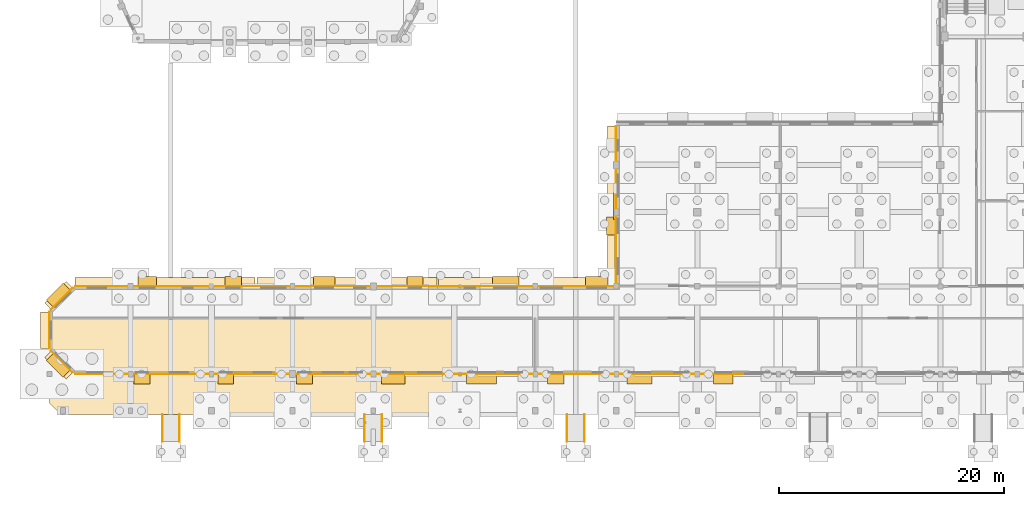
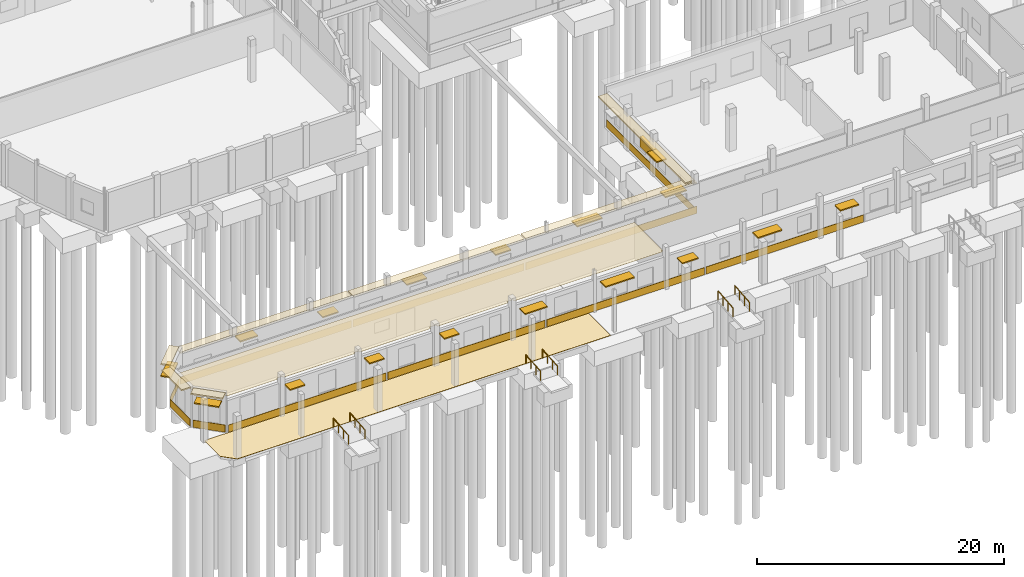
# One storey, part 78 of 93: 20 coverings, 18 shading devices, 6 railings.
"""IFC4 building model written with IfcOpenShell, lengths in metres."""

from ifc_helpers import new_model, si_unit, direction, frame, origin, origin_2d, place, context, subcontext, project, spatial, polyline, rectangle, circle, outline, extrude, material, layer, layer_set, type_object, element, save


model = new_model("IFC4")

# Units and contexts
model_context = context("Model", 3, precision=1e-05, world=origin(), true_north=direction((0.0, 1.0)))
body_context = subcontext(model_context, "Body", "Model", "MODEL_VIEW")
ifc_project = project(units=[si_unit("LENGTHUNIT", "METRE"), si_unit("AREAUNIT", "SQUARE_METRE"), si_unit("VOLUMEUNIT", "CUBIC_METRE"), si_unit("PLANEANGLEUNIT", "RADIAN"), si_unit("MASSUNIT", "GRAM", prefix="KILO")], contexts=[model_context])

# Site, building, storey
site_placement = place(None, origin())
site = spatial("IfcSite", under=ifc_project, at=site_placement, CompositionType="ELEMENT")
building_placement = place(site_placement, origin())
building = spatial("IfcBuilding", under=site, at=building_placement, Name="Kelanivale Promenade Academy", CompositionType="ELEMENT")
storey_placement = place(building_placement, origin())
storey = spatial("IfcBuildingStorey", under=building, at=storey_placement, Name="L00", CompositionType="ELEMENT", Elevation=0.0)

# Coverings
ifc_material_1 = material(Name="Warm ivory Art Deco stucco frieze band 40 mm", Category="masonry")
ifc_layer_1 = layer(ifc_material_1, 0.0400390625)
ifc_layer_set_1 = layer_set([ifc_layer_1], Name="Warm ivory Art Deco stucco frieze band 40 mm")
covering_type_1 = type_object("IfcCoveringType", Name="COV-CLD2 Warm ivory Art Deco stucco frieze ba", PredefinedType="CLADDING", material=ifc_layer_set_1)
covering_1_placement = place(storey_placement, frame((50.0, 18.56005859375, 3.2451171875), z_axis=(0.0, 0.0, 1.0), x_axis=(0.0, -1.0, 0.0)))
element("IfcCovering", 1, at=covering_1_placement, inside=storey, type_object=covering_type_1, Name="Art Deco projecting 820 mm streamline sunshade eyebrow ledge", PredefinedType="CLADDING", context=body_context, shape_type="SweptSolid", body=[
    extrude(rectangle(XDim=14.159912109375, YDim=0.820068359375, at=origin_2d()), origin(), (0.0, 0.0, 1.0), 0.139892578125),
])
covering_2_placement = place(storey_placement, frame((50.385009765625, 18.56005859375, 0.06005859375), z_axis=(0.0, 0.0, 1.0), x_axis=(0.0, -1.0, 0.0)))
element("IfcCovering", 2, at=covering_2_placement, inside=storey, type_object=covering_type_1, Name="Art Deco ivory stucco sill frieze band", PredefinedType="CLADDING", context=body_context, shape_type="SweptSolid", body=[
    extrude(rectangle(XDim=14.159912109375, YDim=0.0400390625, at=origin_2d()), origin(), (0.0, 0.0, 1.0), 0.719970703125),
])
covering_3_placement = place(storey_placement, frame((42.596923828125, 11.800048828125, 3.044921875), z_axis=(0.0, 0.0, 1.0), x_axis=(-1.0, 0.0, 0.0)))
element("IfcCovering", 3, at=covering_3_placement, inside=storey, type_object=covering_type_1, Name="Art Deco projecting 820 mm streamline sunshade eyebrow ledge", PredefinedType="CLADDING", context=body_context, shape_type="SweptSolid", body=[
    extrude(rectangle(XDim=16.0048828125, YDim=0.820068359375, at=origin_2d()), origin(), (0.0, 0.0, 1.0), 0.139892578125),
])
covering_4_placement = place(storey_placement, frame((42.596923828125, 11.4150390625, 0.06005859375), z_axis=(0.0, 0.0, 1.0), x_axis=(-1.0, 0.0, 0.0)))
element("IfcCovering", 4, at=covering_4_placement, inside=storey, type_object=covering_type_1, Name="Art Deco ivory stucco sill frieze band", PredefinedType="CLADDING", context=body_context, shape_type="SweptSolid", body=[
    extrude(rectangle(XDim=16.0048828125, YDim=0.0400390625, at=origin_2d()), origin(), (0.0, 0.0, 1.0), 0.719970703125),
])
covering_5_placement = place(storey_placement, frame((26.43310546875, 11.800048828125, 3.044921875), z_axis=(0.0, 0.0, 1.0), x_axis=(-1.0, 0.0, 0.0)))
element("IfcCovering", 5, at=covering_5_placement, inside=storey, type_object=covering_type_1, Name="Art Deco projecting 820 mm streamline sunshade eyebrow ledge", PredefinedType="CLADDING", context=body_context, shape_type="SweptSolid", body=[
    extrude(rectangle(XDim=16.00390625, YDim=0.820068359375, at=origin_2d()), origin(), (0.0, 0.0, 1.0), 0.139892578125),
])
covering_6_placement = place(storey_placement, frame((26.43310546875, 11.4150390625, 0.06005859375), z_axis=(0.0, 0.0, 1.0), x_axis=(-1.0, 0.0, 0.0)))
element("IfcCovering", 6, at=covering_6_placement, inside=storey, type_object=covering_type_1, Name="Art Deco ivory stucco sill frieze band", PredefinedType="CLADDING", context=body_context, shape_type="SweptSolid", body=[
    extrude(rectangle(XDim=16.00390625, YDim=0.0400390625, at=origin_2d()), origin(), (0.0, 0.0, 1.0), 0.719970703125),
])
covering_7_placement = place(storey_placement, frame((10.26806640625, 11.800048828125, 3.09521484375), z_axis=(0.0, 0.0, 1.0), x_axis=(-1.0, 0.0, 0.0)))
element("IfcCovering", 7, at=covering_7_placement, inside=storey, type_object=covering_type_1, Name="Art Deco projecting 820 mm streamline sunshade eyebrow ledge", PredefinedType="CLADDING", context=body_context, shape_type="SweptSolid", body=[
    extrude(rectangle(XDim=16.0048828125, YDim=0.820068359375, at=origin_2d()), origin(), (0.0, 0.0, 1.0), 0.139892578125),
])
covering_8_placement = place(storey_placement, frame((10.26806640625, 11.4150390625, 0.06005859375), z_axis=(0.0, 0.0, 1.0), x_axis=(-1.0, 0.0, 0.0)))
element("IfcCovering", 8, at=covering_8_placement, inside=storey, type_object=covering_type_1, Name="Art Deco ivory stucco sill frieze band", PredefinedType="CLADDING", context=body_context, shape_type="SweptSolid", body=[
    extrude(rectangle(XDim=16.0048828125, YDim=0.0400390625, at=origin_2d()), origin(), (0.0, 0.0, 1.0), 0.719970703125),
])
covering_9_placement = place(storey_placement, frame((0.80908203125, 10.591064453125, 3.81982421875), z_axis=(0.0, 0.0, 1.0), x_axis=(-0.707106781187, -0.707106781187, 0.0)))
element("IfcCovering", 9, at=covering_9_placement, inside=storey, type_object=covering_type_1, Name="Art Deco projecting 820 mm streamline sunshade eyebrow ledge", PredefinedType="CLADDING", context=body_context, shape_type="SweptSolid", body=[
    extrude(rectangle(XDim=2.68798828125, YDim=0.820068359375, at=origin_2d()), origin(), (0.0, 0.0, 1.0), 0.139892578125),
])
covering_10_placement = place(storey_placement, frame((1.0810546875, 10.319091796875, 0.06005859375), z_axis=(0.0, 0.0, 1.0), x_axis=(-0.707106781187, -0.707106781187, 0.0)))
element("IfcCovering", 10, at=covering_10_placement, inside=storey, type_object=covering_type_1, Name="Art Deco ivory stucco sill frieze band", PredefinedType="CLADDING", context=body_context, shape_type="SweptSolid", body=[
    extrude(rectangle(XDim=2.68798828125, YDim=0.0400390625, at=origin_2d()), origin(), (0.0, 0.0, 1.0), 0.719970703125),
])
covering_11_placement = place(storey_placement, frame((-0.39990234375, 7.5, 3.81982421875), z_axis=(0.0, 0.0, 1.0), x_axis=(0.0, -1.0, 0.0)))
element("IfcCovering", 11, at=covering_11_placement, inside=storey, type_object=covering_type_1, Name="Art Deco projecting 820 mm streamline sunshade eyebrow ledge", PredefinedType="CLADDING", context=body_context, shape_type="SweptSolid", body=[
    extrude(rectangle(XDim=3.26806640625, YDim=0.820068359375, at=origin_2d()), origin(), (0.0, 0.0, 1.0), 0.139892578125),
])
covering_12_placement = place(storey_placement, frame((-0.014892578125, 7.5, 0.06005859375), z_axis=(0.0, 0.0, 1.0), x_axis=(0.0, -1.0, 0.0)))
element("IfcCovering", 12, at=covering_12_placement, inside=storey, type_object=covering_type_1, Name="Art Deco ivory stucco sill frieze band", PredefinedType="CLADDING", context=body_context, shape_type="SweptSolid", body=[
    extrude(rectangle(XDim=3.26806640625, YDim=0.0400390625, at=origin_2d()), origin(), (0.0, 0.0, 1.0), 0.719970703125),
])
covering_13_placement = place(storey_placement, frame((0.80908203125, 4.408935546875, 3.81982421875), z_axis=(0.0, 0.0, 1.0), x_axis=(0.707106781187, -0.707106781187, 0.0)))
element("IfcCovering", 13, at=covering_13_placement, inside=storey, type_object=covering_type_1, Name="Art Deco projecting 820 mm streamline sunshade eyebrow ledge", PredefinedType="CLADDING", context=body_context, shape_type="SweptSolid", body=[
    extrude(rectangle(XDim=2.68798828125, YDim=0.820068359375, at=origin_2d()), origin(), (0.0, 0.0, 1.0), 0.139892578125),
])
covering_14_placement = place(storey_placement, frame((1.0810546875, 4.680908203125, 0.06005859375), z_axis=(0.0, 0.0, 1.0), x_axis=(0.707106781187, -0.707106781187, 0.0)))
element("IfcCovering", 14, at=covering_14_placement, inside=storey, type_object=covering_type_1, Name="Art Deco ivory stucco sill frieze band", PredefinedType="CLADDING", context=body_context, shape_type="SweptSolid", body=[
    extrude(rectangle(XDim=2.68798828125, YDim=0.0400390625, at=origin_2d()), origin(), (0.0, 0.0, 1.0), 0.719970703125),
])
for number, where, z_axis, x_axis, name in (
    (15, (9.635986328125, 3.594970703125, 0.06005859375), (0.0, 0.0, 1.0), (1.0, 0.0, 0.0), "Art Deco ivory stucco sill frieze band"),
    (16, (24.529052734375, 3.594970703125, 0.06005859375), (0.0, 0.0, 1.0), (1.0, 0.0, 0.0), "Art Deco ivory stucco sill frieze band"),
    (17, (39.422119140625, 3.594970703125, 0.06005859375), (0.0, 0.0, 1.0), (1.0, 0.0, 0.0), "Art Deco ivory stucco sill frieze band"),
):
    element("IfcCovering", number, at=place(storey_placement, frame(where, z_axis=z_axis, x_axis=x_axis)), inside=storey, type_object=covering_type_1, Name=name, PredefinedType="CLADDING", context=body_context, shape_type="SweptSolid", body=[
        extrude(rectangle(XDim=14.73291015625, YDim=0.0400390625, at=origin_2d()), origin(), (0.0, 0.0, 1.0), 0.719970703125),
    ])
covering_15_placement = place(storey_placement, frame((54.31494140625, 3.594970703125, 0.06005859375), z_axis=(0.0, 0.0, 1.0), x_axis=(1.0, 0.0, 0.0)))
element("IfcCovering", 18, at=covering_15_placement, inside=storey, type_object=covering_type_1, Name="Art Deco ivory stucco sill frieze band", PredefinedType="CLADDING", context=body_context, shape_type="SweptSolid", body=[
    extrude(rectangle(XDim=14.73193359375, YDim=0.0400390625, at=origin_2d()), origin(), (0.0, 0.0, 1.0), 0.719970703125),
])
ifc_material_2 = material(Name="Acoustic mineral-fibre ceiling tile 25 mm", Category="gypsum")
ifc_layer_2 = layer(ifc_material_2, 0.02490234375)
ifc_layer_set_2 = layer_set([ifc_layer_2], Name="Acoustic mineral-fibre ceiling tile 25 mm")
covering_type_2 = type_object("IfcCoveringType", Name="COV-CLG1 Acoustic mineral-fibre ceiling tile ", PredefinedType="CEILING", material=ifc_layer_set_2)
covering_16_placement = place(storey_placement, frame((0.0, 0.0, 3.550048828125)))
element("IfcCovering", 19, at=covering_16_placement, inside=storey, type_object=covering_type_2, Name="Promenade Dining Hall acoustic suspended ceiling", PredefinedType="CEILING", context=body_context, shape_type="SweptSolid", body=[
    extrude(outline(polyline([(0.14990234375, 5.845947265625), (2.24609375, 3.75), (6.93994140625, 3.75), (6.93994140625, 3.8701171875), (6.93994140625, 3.8740234375), (6.94091796875, 3.8779296875), (6.94189453125, 3.882080078125), (6.943115234375, 3.885009765625), (6.945068359375, 3.888916015625), (6.947021484375, 3.89208984375), (6.948974609375, 3.89501953125), (6.951904296875, 3.89794921875), (6.955078125, 3.90087890625), (6.9580078125, 3.903076171875), (6.9609375, 3.905029296875), (6.965087890625, 3.906982421875), (6.968017578125, 3.907958984375), (6.971923828125, 3.908935546875), (6.97607421875, 3.909912109375), (6.97998046875, 3.909912109375), (7.419921875, 3.909912109375), (7.424072265625, 3.909912109375), (7.427978515625, 3.908935546875), (7.431884765625, 3.907958984375), (7.43505859375, 3.906982421875), (7.43896484375, 3.905029296875), (7.44189453125, 3.903076171875), (7.445068359375, 3.90087890625), (7.447998046875, 3.89794921875), (7.450927734375, 3.89501953125), (7.452880859375, 3.89208984375), (7.455078125, 3.888916015625), (7.45703125, 3.885009765625), (7.4580078125, 3.882080078125), (7.458984375, 3.8779296875), (7.4599609375, 3.8740234375), (7.4599609375, 3.8701171875), (7.4599609375, 3.75), (14.1650390625, 3.75), (14.1650390625, 3.8701171875), (14.1650390625, 3.8740234375), (14.166015625, 3.8779296875), (14.1669921875, 3.882080078125), (14.16796875, 3.885009765625), (14.169921875, 3.888916015625), (14.172119140625, 3.89208984375), (14.174072265625, 3.89501953125), (14.177001953125, 3.89794921875), (14.179931640625, 3.90087890625), (14.18310546875, 3.903076171875), (14.18603515625, 3.905029296875), (14.18994140625, 3.906982421875), (14.193115234375, 3.907958984375), (14.197021484375, 3.908935546875), (14.200927734375, 3.909912109375), (14.205078125, 3.909912109375), (14.594970703125, 3.909912109375), (14.59912109375, 3.909912109375), (14.60302734375, 3.908935546875), (14.60693359375, 3.907958984375), (14.610107421875, 3.906982421875), (14.614013671875, 3.905029296875), (14.616943359375, 3.903076171875), (14.6201171875, 3.90087890625), (14.623046875, 3.89794921875), (14.6259765625, 3.89501953125), (14.6279296875, 3.89208984375), (14.6298828125, 3.888916015625), (14.632080078125, 3.885009765625), (14.633056640625, 3.882080078125), (14.634033203125, 3.8779296875), (14.635009765625, 3.8740234375), (14.635009765625, 3.8701171875), (14.635009765625, 3.75), (21.2900390625, 3.75), (21.2900390625, 3.919921875), (21.2900390625, 3.924072265625), (21.291015625, 3.927978515625), (21.2919921875, 3.931884765625), (21.29296875, 3.93505859375), (21.294921875, 3.93896484375), (21.297119140625, 3.94189453125), (21.299072265625, 3.945068359375), (21.302001953125, 3.947998046875), (21.304931640625, 3.950927734375), (21.30810546875, 3.952880859375), (21.31103515625, 3.955078125), (21.31494140625, 3.95703125), (21.318115234375, 3.9580078125), (21.322021484375, 3.958984375), (21.325927734375, 3.9599609375), (21.330078125, 3.9599609375), (21.8701171875, 3.9599609375), (21.8740234375, 3.9599609375), (21.8779296875, 3.958984375), (21.882080078125, 3.9580078125), (21.885009765625, 3.95703125), (21.888916015625, 3.955078125), (21.89208984375, 3.952880859375), (21.89501953125, 3.950927734375), (21.89794921875, 3.947998046875), (21.90087890625, 3.945068359375), (21.903076171875, 3.94189453125), (21.905029296875, 3.93896484375), (21.906982421875, 3.93505859375), (21.907958984375, 3.931884765625), (21.908935546875, 3.927978515625), (21.909912109375, 3.924072265625), (21.909912109375, 3.919921875), (21.909912109375, 3.75), (28.514892578125, 3.75), (28.514892578125, 3.89501953125), (28.514892578125, 3.89892578125), (28.51611328125, 3.903076171875), (28.51708984375, 3.906982421875), (28.51806640625, 3.909912109375), (28.52001953125, 3.9140625), (28.52197265625, 3.9169921875), (28.52392578125, 3.919921875), (28.527099609375, 3.923095703125), (28.530029296875, 3.926025390625), (28.532958984375, 3.927978515625), (28.535888671875, 3.929931640625), (28.5400390625, 3.931884765625), (28.54296875, 3.93310546875), (28.547119140625, 3.93408203125), (28.551025390625, 3.93505859375), (28.554931640625, 3.93505859375), (29.044921875, 3.93505859375), (29.049072265625, 3.93505859375), (29.052978515625, 3.93408203125), (29.056884765625, 3.93310546875), (29.06005859375, 3.931884765625), (29.06396484375, 3.929931640625), (29.06689453125, 3.927978515625), (29.070068359375, 3.926025390625), (29.072998046875, 3.923095703125), (29.075927734375, 3.919921875), (29.077880859375, 3.9169921875), (29.080078125, 3.9140625), (29.08203125, 3.909912109375), (29.0830078125, 3.906982421875), (29.083984375, 3.903076171875), (29.0849609375, 3.89892578125), (29.0849609375, 3.89501953125), (29.0849609375, 3.75), (35.924072265625, 3.75), (35.925048828125, 3.75), (35.931884765625, 3.751953125), (35.943115234375, 3.75390625), (35.944091796875, 3.75390625), (35.9560546875, 3.756103515625), (35.9619140625, 3.757080078125), (35.968994140625, 3.757080078125), (35.98095703125, 3.757080078125), (35.988037109375, 3.757080078125), (35.993896484375, 3.756103515625), (36.006103515625, 3.75390625), (36.007080078125, 3.75390625), (36.01806640625, 3.751953125), (36.02490234375, 3.75), (36.02587890625, 3.75), (36.31298828125, 3.75), (36.31298828125, 3.7509765625), (36.31298828125, 3.7548828125), (36.31396484375, 3.759033203125), (36.31591796875, 3.761962890625), (36.31689453125, 3.76611328125), (36.319091796875, 3.76904296875), (36.322021484375, 3.77197265625), (36.323974609375, 3.77490234375), (36.326904296875, 3.778076171875), (36.330078125, 3.780029296875), (36.333984375, 3.781982421875), (36.3369140625, 3.783935546875), (36.341064453125, 3.784912109375), (36.344970703125, 3.785888671875), (36.34912109375, 3.787109375), (36.35302734375, 3.787109375), (36.64697265625, 3.787109375), (36.65087890625, 3.787109375), (36.655029296875, 3.785888671875), (36.658935546875, 3.784912109375), (36.6630859375, 3.783935546875), (36.666015625, 3.781982421875), (36.669921875, 3.780029296875), (36.673095703125, 3.778076171875), (36.676025390625, 3.77490234375), (36.677978515625, 3.77197265625), (36.680908203125, 3.76904296875), (36.68310546875, 3.76611328125), (36.68408203125, 3.761962890625), (36.68603515625, 3.759033203125), (36.68701171875, 3.7548828125), (36.68701171875, 3.7509765625), (36.68701171875, 3.75), (42.965087890625, 3.75), (42.965087890625, 3.8701171875), (42.965087890625, 3.8740234375), (42.966064453125, 3.8779296875), (42.967041015625, 3.882080078125), (42.968017578125, 3.885009765625), (42.969970703125, 3.888916015625), (42.971923828125, 3.89208984375), (42.97412109375, 3.89501953125), (42.97705078125, 3.89794921875), (42.97998046875, 3.90087890625), (42.98291015625, 3.903076171875), (42.986083984375, 3.905029296875), (42.989990234375, 3.906982421875), (42.992919921875, 3.907958984375), (42.9970703125, 3.908935546875), (43.0009765625, 3.909912109375), (43.0048828125, 3.909912109375), (43.090087890625, 3.909912109375), (43.090087890625, 8.489990234375), (0.14990234375, 8.489990234375), (0.14990234375, 5.845947265625)])), origin(), (0.0, 0.0, 1.0), 0.02490234375),
])
ifc_material_3 = material(Name="Polished coastal terrazzo and granite colonnade paving 30 mm", Category="masonry")
ifc_layer_3 = layer(ifc_material_3, 0.030029296875)
ifc_layer_set_3 = layer_set([ifc_layer_3], Name="Polished coastal terrazzo and granite colonnade paving 30 mm")
covering_type_3 = type_object("IfcCoveringType", Name="COV-FLR2 Polished coastal terrazzo and granit", PredefinedType="FLOORING", material=ifc_layer_set_3)
covering_17_placement = place(storey_placement, origin())
element("IfcCovering", 20, at=covering_17_placement, inside=storey, type_object=covering_type_3, Name="Harbour Promenade West Colonnade polished granite-terrazzo paving", PredefinedType="FLOORING", context=body_context, shape_type="SweptSolid", body=[
    extrude(outline(polyline([(0.0, 1.008056640625), (1.008056640625, 0.0), (35.949951171875, 0.0), (35.949951171875, 3.60009765625), (0.0, 3.60009765625), (0.0, 1.008056640625)])), origin(), (0.0, 0.0, 1.0), 0.030029296875),
])

# Railings
ifc_material_4 = material(Name="Brushed stainless steel grade 316", Category="steel")
railing_type = type_object("IfcRailingType", Name="HR-01 Pitch Handrail 900mm", PredefinedType="HANDRAIL", material=ifc_material_4)
for number, where, name in (
    (21, (10.02490234375, -2.39990234375, -0.199951171875), "Ramp R-01 handrail L"),
    (22, (11.574951171875, -2.39990234375, -0.199951171875), "Ramp R-01 handrail R"),
    (23, (28.02490234375, -2.39990234375, -0.199951171875), "Ramp R-02 handrail L"),
    (24, (29.574951171875, -2.39990234375, -0.199951171875), "Ramp R-02 handrail R"),
    (25, (46.02490234375, -2.39990234375, -0.199951171875), "Ramp R-03 handrail L"),
    (26, (47.574951171875, -2.39990234375, -0.199951171875), "Ramp R-03 handrail R"),
):
    element("IfcRailing", number, at=place(storey_placement, frame(where)), inside=storey, type_object=railing_type, Name=name, PredefinedType="HANDRAIL", context=body_context, shape_type="SweptSolid", body=[
        extrude(circle(Radius=0.02392578125, at=origin_2d()), frame((0.0, 0.0, 0.8759765625), z_axis=(0.0, 0.996547156423, 0.083028700011), x_axis=(-1.0, 0.0, 0.0)), (0.0, 0.0, 1.0), 2.408203125),
        extrude(circle(Radius=0.02099609375, at=origin_2d()), origin(), (0.0, 0.0, 1.0), 0.851806640625),
        extrude(circle(Radius=0.02099609375, at=origin_2d()), frame((0.0, 0.800048828125, 0.066650390625)), (0.0, 0.0, 1.0), 0.851806640625),
        extrude(circle(Radius=0.02099609375, at=origin_2d()), frame((0.0, 1.599853515625, 0.13330078125)), (0.0, 0.0, 1.0), 0.851806640625),
        extrude(circle(Radius=0.02099609375, at=origin_2d()), frame((0.0, 2.39990234375, 0.199951171875)), (0.0, 0.0, 1.0), 0.851806640625),
    ])

# Shading devices
ifc_material_5 = material(Name="Precast concrete C40/50", Category="concrete")
ifc_layer_4 = layer(ifc_material_5, 0.1201171875)
ifc_layer_set_4 = layer_set([ifc_layer_4], Name="Precast concrete C40/50")
shading_device_type_1 = type_object("IfcShadingDeviceType", Name="SHD-01 Art Deco Sunshade Eyebrow 900mm", PredefinedType="USERDEFINED", material=ifc_layer_set_4)
shading_device_1_placement = place(storey_placement, frame((49.9599609375, 16.77001953125, 2.659912109375), z_axis=(0.0, 0.0, 1.0), x_axis=(0.0, -1.0, 0.0)))
element("IfcShadingDevice", 27, at=shading_device_1_placement, inside=storey, type_object=shading_device_type_1, Name="Art Deco 900 mm precast chajja window sunshade", ObjectType="SUNSHADE", PredefinedType="USERDEFINED", context=body_context, shape_type="SweptSolid", body=[
    extrude(rectangle(XDim=1.60009765625, YDim=0.89990234375, at=origin_2d()), origin(), (0.0, 0.0, 1.0), 0.1201171875),
])
shading_device_2_placement = place(storey_placement, frame((48.658935546875, 11.840087890625, 2.60986328125), z_axis=(0.0, 0.0, 1.0), x_axis=(-1.0, 0.0, 0.0)))
element("IfcShadingDevice", 28, at=shading_device_2_placement, inside=storey, type_object=shading_device_type_1, Name="Art Deco 900 mm precast chajja window sunshade", ObjectType="SUNSHADE", PredefinedType="USERDEFINED", context=body_context, shape_type="SweptSolid", body=[
    extrude(rectangle(XDim=2.0, YDim=0.89990234375, at=origin_2d()), origin(), (0.0, 0.0, 1.0), 0.1201171875),
])
shading_device_3_placement = place(storey_placement, frame((40.576904296875, 11.840087890625, 2.60986328125), z_axis=(0.0, 0.0, 1.0), x_axis=(-1.0, 0.0, 0.0)))
element("IfcShadingDevice", 29, at=shading_device_3_placement, inside=storey, type_object=shading_device_type_1, Name="Art Deco 900 mm precast chajja window sunshade", ObjectType="SUNSHADE", PredefinedType="USERDEFINED", context=body_context, shape_type="SweptSolid", body=[
    extrude(rectangle(XDim=2.35009765625, YDim=0.89990234375, at=origin_2d()), origin(), (0.0, 0.0, 1.0), 0.1201171875),
])
shading_device_4_placement = place(storey_placement, frame((32.493896484375, 11.840087890625, 2.4599609375), z_axis=(0.0, 0.0, 1.0), x_axis=(-1.0, 0.0, 0.0)))
element("IfcShadingDevice", 30, at=shading_device_4_placement, inside=storey, type_object=shading_device_type_1, Name="Art Deco 900 mm precast chajja window sunshade", ObjectType="SUNSHADE", PredefinedType="USERDEFINED", context=body_context, shape_type="SweptSolid", body=[
    extrude(rectangle(XDim=1.449951171875, YDim=0.89990234375, at=origin_2d()), origin(), (0.0, 0.0, 1.0), 0.1201171875),
])
shading_device_5_placement = place(storey_placement, frame((24.412109375, 11.840087890625, 2.409912109375), z_axis=(0.0, 0.0, 1.0), x_axis=(-1.0, 0.0, 0.0)))
element("IfcShadingDevice", 31, at=shading_device_5_placement, inside=storey, type_object=shading_device_type_1, Name="Art Deco 900 mm precast chajja window sunshade", ObjectType="SUNSHADE", PredefinedType="USERDEFINED", context=body_context, shape_type="SweptSolid", body=[
    extrude(rectangle(XDim=1.89990234375, YDim=0.89990234375, at=origin_2d()), origin(), (0.0, 0.0, 1.0), 0.1201171875),
])
shading_device_6_placement = place(storey_placement, frame((16.330078125, 11.840087890625, 1.9599609375), z_axis=(0.0, 0.0, 1.0), x_axis=(-1.0, 0.0, 0.0)))
element("IfcShadingDevice", 32, at=shading_device_6_placement, inside=storey, type_object=shading_device_type_1, Name="Art Deco 900 mm precast chajja window sunshade", ObjectType="SUNSHADE", PredefinedType="USERDEFINED", context=body_context, shape_type="SweptSolid", body=[
    extrude(rectangle(XDim=1.5, YDim=0.89990234375, at=origin_2d()), origin(), (0.0, 0.0, 1.0), 0.1201171875),
])
shading_device_7_placement = place(storey_placement, frame((8.697998046875, 11.840087890625, 2.260009765625), z_axis=(0.0, 0.0, 1.0), x_axis=(-1.0, 0.0, 0.0)))
element("IfcShadingDevice", 33, at=shading_device_7_placement, inside=storey, type_object=shading_device_type_1, Name="Art Deco 900 mm precast chajja window sunshade", ObjectType="SUNSHADE", PredefinedType="USERDEFINED", context=body_context, shape_type="SweptSolid", body=[
    extrude(rectangle(XDim=1.64990234375, YDim=0.89990234375, at=origin_2d()), origin(), (0.0, 0.0, 1.0), 0.1201171875),
])
shading_device_8_placement = place(storey_placement, frame((0.781005859375, 10.618896484375, 2.4599609375), z_axis=(0.0, 0.0, 1.0), x_axis=(-0.707106781187, -0.707106781187, 0.0)))
element("IfcShadingDevice", 34, at=shading_device_8_placement, inside=storey, type_object=shading_device_type_1, Name="Art Deco 900 mm precast chajja window sunshade", ObjectType="SUNSHADE", PredefinedType="USERDEFINED", context=body_context, shape_type="SweptSolid", body=[
    extrude(rectangle(XDim=2.14990234375, YDim=0.89990234375, at=origin_2d()), origin(), (0.0, 0.0, 1.0), 0.1201171875),
])
shading_device_9_placement = place(storey_placement, frame((0.781005859375, 4.381103515625, 3.010009765625), z_axis=(0.0, 0.0, 1.0), x_axis=(0.707106781187, -0.707106781187, 0.0)))
element("IfcShadingDevice", 35, at=shading_device_9_placement, inside=storey, type_object=shading_device_type_1, Name="Art Deco 900 mm precast chajja window sunshade", ObjectType="SUNSHADE", PredefinedType="USERDEFINED", context=body_context, shape_type="SweptSolid", body=[
    extrude(rectangle(XDim=2.10009765625, YDim=0.89990234375, at=origin_2d()), origin(), (0.0, 0.0, 1.0), 0.1201171875),
])
for number, where, z_axis, x_axis, name in (
    (36, (8.22509765625, 3.169921875, 2.85986328125), (0.0, 0.0, 1.0), (1.0, 0.0, 0.0), "Art Deco 900 mm precast chajja window sunshade"),
    (37, (15.6708984375, 3.169921875, 2.85986328125), (0.0, 0.0, 1.0), (1.0, 0.0, 0.0), "Art Deco 900 mm precast chajja window sunshade"),
    (38, (22.66796875, 3.169921875, 2.85986328125), (0.0, 0.0, 1.0), (1.0, 0.0, 0.0), "Art Deco 900 mm precast chajja window sunshade"),
):
    element("IfcShadingDevice", number, at=place(storey_placement, frame(where, z_axis=z_axis, x_axis=x_axis)), inside=storey, type_object=shading_device_type_1, Name=name, ObjectType="SUNSHADE", PredefinedType="USERDEFINED", context=body_context, shape_type="SweptSolid", body=[
        extrude(rectangle(XDim=1.39990234375, YDim=0.89990234375, at=origin_2d()), origin(), (0.0, 0.0, 1.0), 0.1201171875),
    ])
shading_device_10_placement = place(storey_placement, frame((30.56396484375, 3.169921875, 2.659912109375), z_axis=(0.0, 0.0, 1.0), x_axis=(1.0, 0.0, 0.0)))
element("IfcShadingDevice", 39, at=shading_device_10_placement, inside=storey, type_object=shading_device_type_1, Name="Art Deco 900 mm precast chajja window sunshade", ObjectType="SUNSHADE", PredefinedType="USERDEFINED", context=body_context, shape_type="SweptSolid", body=[
    extrude(rectangle(XDim=2.10009765625, YDim=0.89990234375, at=origin_2d()), origin(), (0.0, 0.0, 1.0), 0.1201171875),
])
shading_device_11_placement = place(storey_placement, frame((38.410888671875, 3.169921875, 2.7099609375), z_axis=(0.0, 0.0, 1.0), x_axis=(1.0, 0.0, 0.0)))
element("IfcShadingDevice", 40, at=shading_device_11_placement, inside=storey, type_object=shading_device_type_1, Name="Art Deco 900 mm precast chajja window sunshade", ObjectType="SUNSHADE", PredefinedType="USERDEFINED", context=body_context, shape_type="SweptSolid", body=[
    extrude(rectangle(XDim=2.699951171875, YDim=0.89990234375, at=origin_2d()), origin(), (0.0, 0.0, 1.0), 0.1201171875),
])
shading_device_12_placement = place(storey_placement, frame((45.007080078125, 3.169921875, 2.510009765625), z_axis=(0.0, 0.0, 1.0), x_axis=(1.0, 0.0, 0.0)))
element("IfcShadingDevice", 41, at=shading_device_12_placement, inside=storey, type_object=shading_device_type_1, Name="Art Deco 900 mm precast chajja window sunshade", ObjectType="SUNSHADE", PredefinedType="USERDEFINED", context=body_context, shape_type="SweptSolid", body=[
    extrude(rectangle(XDim=1.5, YDim=0.89990234375, at=origin_2d()), origin(), (0.0, 0.0, 1.0), 0.1201171875),
])
shading_device_13_placement = place(storey_placement, frame((52.4541015625, 3.169921875, 2.56005859375), z_axis=(0.0, 0.0, 1.0), x_axis=(1.0, 0.0, 0.0)))
element("IfcShadingDevice", 42, at=shading_device_13_placement, inside=storey, type_object=shading_device_type_1, Name="Art Deco 900 mm precast chajja window sunshade", ObjectType="SUNSHADE", PredefinedType="USERDEFINED", context=body_context, shape_type="SweptSolid", body=[
    extrude(rectangle(XDim=2.25, YDim=0.89990234375, at=origin_2d()), origin(), (0.0, 0.0, 1.0), 0.1201171875),
])
shading_device_14_placement = place(storey_placement, frame((59.89990234375, 3.169921875, 2.56005859375), z_axis=(0.0, 0.0, 1.0), x_axis=(1.0, 0.0, 0.0)))
element("IfcShadingDevice", 43, at=shading_device_14_placement, inside=storey, type_object=shading_device_type_1, Name="Art Deco 900 mm precast chajja window sunshade", ObjectType="SUNSHADE", PredefinedType="USERDEFINED", context=body_context, shape_type="SweptSolid", body=[
    extrude(rectangle(XDim=1.75, YDim=0.89990234375, at=origin_2d()), origin(), (0.0, 0.0, 1.0), 0.1201171875),
])
ifc_material_6 = material(Name="Bronze anodised aluminium EN AW-6063 T6", Category="aluminium")
ifc_layer_5 = layer(ifc_material_6, 0.080078125)
ifc_layer_set_5 = layer_set([ifc_layer_5], Name="Bronze anodised aluminium EN AW-6063 T6")
shading_device_type_2 = type_object("IfcShadingDeviceType", Name="SHD-02 Perforated Brise-Soleil Screen", PredefinedType="JALOUSIE", material=ifc_layer_set_5)
shading_device_15_placement = place(storey_placement, frame((50.264892578125, 18.56005859375, 1.72509765625), z_axis=(0.0, 0.0, 1.0), x_axis=(0.0, -1.0, 0.0)))
element("IfcShadingDevice", 44, at=shading_device_15_placement, inside=storey, type_object=shading_device_type_2, Name="Perforated Art Deco brise-soleil louvre screen", PredefinedType="JALOUSIE", context=body_context, shape_type="SweptSolid", body=[
    extrude(rectangle(XDim=2.39990234375, YDim=0.280029296875, at=origin_2d()), origin(), (0.0, 0.0, 1.0), 1.050048828125),
])

save(model, "model.ifc")
